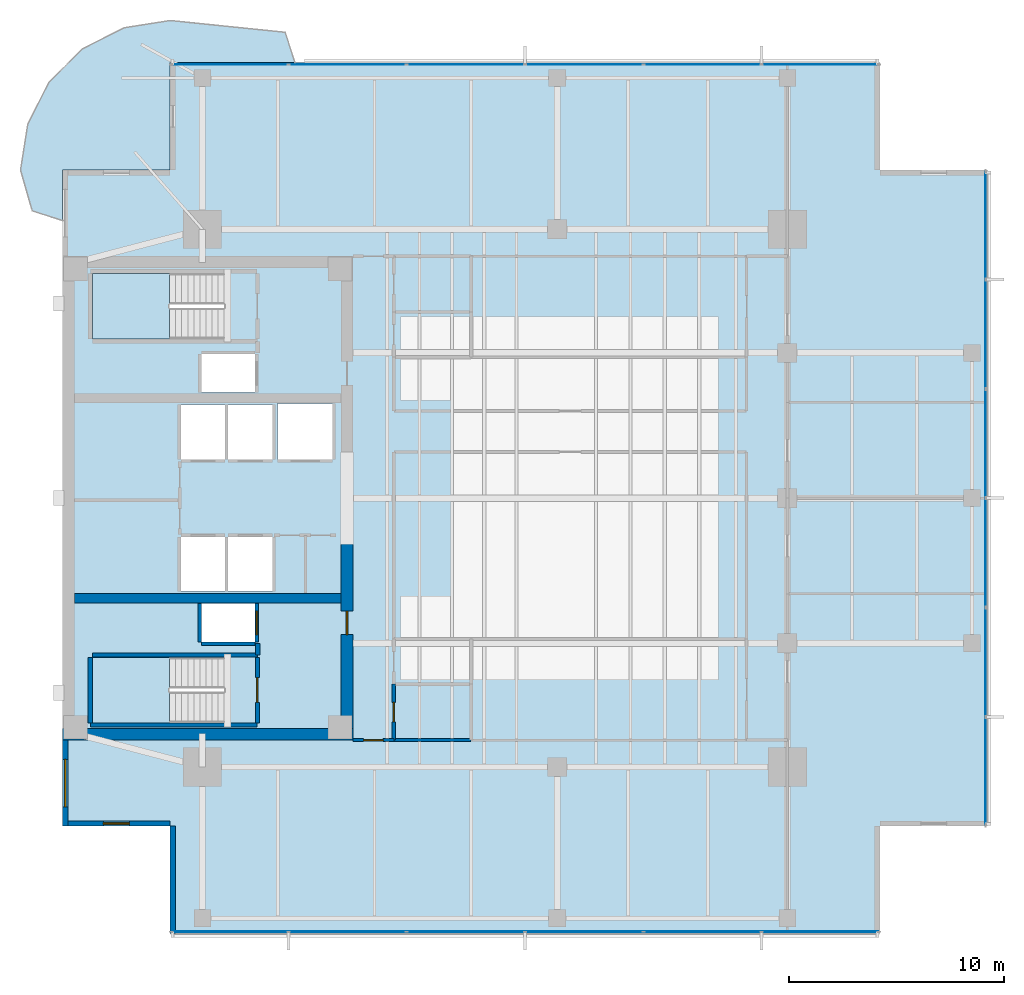
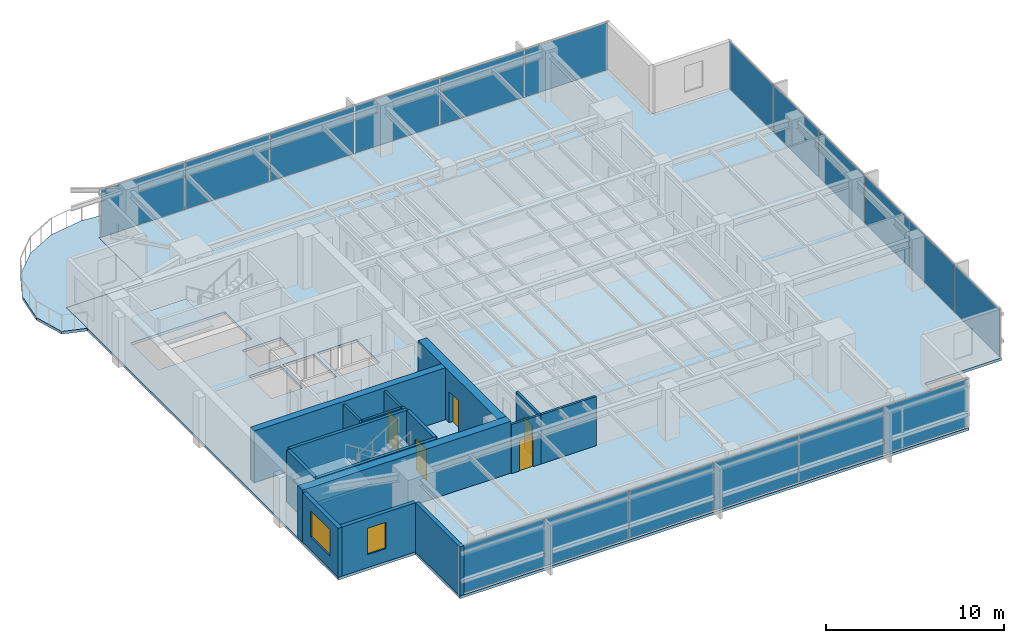
# One storey, part 7 of 14: 18 plates, 17 walls, 5 doors, 4 slabs, 2 windows, 7 openings, 5 elements without a shape of their own.
"""IFC4 building model written with IfcOpenShell, lengths in metres."""

from ifc_helpers import new_model, si_unit, direction, frame, frame_2d, origin, origin_2d, place, context, subcontext, project, spatial, polyline, rectangle, outline, extrude, material, layer, layer_set, type_object, element, fill, aggregate, save


model = new_model("IFC4")

# Units and contexts
model_context = context("Model", 3, precision=1e-05, world=origin(), true_north=direction((0.0, 1.0)))
body_context = subcontext(model_context, "Body", "Model", "MODEL_VIEW")
ifc_project = project(units=[si_unit("LENGTHUNIT", "METRE"), si_unit("AREAUNIT", "SQUARE_METRE"), si_unit("VOLUMEUNIT", "CUBIC_METRE"), si_unit("PLANEANGLEUNIT", "RADIAN"), si_unit("MASSUNIT", "GRAM", prefix="KILO")], contexts=[model_context])

# Site, building, storey
site_placement = place(None, origin())
site = spatial("IfcSite", under=ifc_project, at=site_placement, CompositionType="ELEMENT")
building_placement = place(site_placement, origin())
building = spatial("IfcBuilding", under=site, at=building_placement, Name="Kinhvarn Gate Tower", CompositionType="ELEMENT")
storey_placement = place(building_placement, frame((0.0, 0.0, 202.25)))
storey = spatial("IfcBuildingStorey", under=building, at=storey_placement, Name="L53", CompositionType="ELEMENT", Elevation=202.25)

# Curtain wall, plates
ifc_material_1 = material(Name="Anodised aluminium AW-6063", Category="aluminium")
ifc_layer_1 = layer(ifc_material_1, 0.179931640625)
ifc_layer_set_1 = layer_set([ifc_layer_1], Name="Anodised aluminium AW-6063")
curtain_wall_type = type_object("IfcCurtainWallType", Name="CW-SYS-3", PredefinedType="NOTDEFINED", material=ifc_layer_set_1)
curtain_wall_1_placement = place(storey_placement, origin())
curtain_wall_1 = element("IfcCurtainWall", 1, at=curtain_wall_1_placement, inside=storey, type_object=curtain_wall_type, Name="Curtain Wall CW3 (L53)", PredefinedType="NOTDEFINED")
ifc_material_2 = material(Name="Clear low-e double glazing", Category="glass")
ifc_layer_2 = layer(ifc_material_2, 0.031982421875)
ifc_layer_set_2 = layer_set([ifc_layer_2], Name="Clear low-e double glazing")
plate_type = type_object("IfcPlateType", Name="CW-PNL-VIS", PredefinedType="CURTAIN_PANEL", material=ifc_layer_set_2)
plate_1_placement = place(storey_placement, frame((12.266357421875, 5.090087890625, 0.070068359375), z_axis=(0.0, 0.0, 1.0), x_axis=(1.0, 0.0, 0.0)))
plate_1 = element("IfcPlate", 2, at=plate_1_placement, type_object=plate_type, Name="CW3 panel 1.1", PredefinedType="CURTAIN_PANEL", context=body_context, shape_type="SweptSolid", body=[
    extrude(rectangle(XDim=5.402587890625, YDim=0.031982421875, at=origin_2d()), origin(), (0.0, 0.0, 1.0), 3.22998046875),
])
plate_2_placement = place(storey_placement, frame((17.75, 5.090087890625, 0.070068359375), z_axis=(0.0, 0.0, 1.0), x_axis=(1.0, 0.0, 0.0)))
plate_2 = element("IfcPlate", 3, at=plate_2_placement, type_object=plate_type, Name="CW3 panel 2.1", PredefinedType="CURTAIN_PANEL", context=body_context, shape_type="SweptSolid", body=[
    extrude(rectangle(XDim=5.43505859375, YDim=0.031982421875, at=origin_2d()), origin(), (0.0, 0.0, 1.0), 3.22998046875),
])
plate_3_placement = place(storey_placement, frame((23.25, 5.090087890625, 0.070068359375), z_axis=(0.0, 0.0, 1.0), x_axis=(1.0, 0.0, 0.0)))
plate_3 = element("IfcPlate", 4, at=plate_3_placement, type_object=plate_type, Name="CW3 panel 3.1", PredefinedType="CURTAIN_PANEL", context=body_context, shape_type="SweptSolid", body=[
    extrude(rectangle(XDim=5.43505859375, YDim=0.031982421875, at=origin_2d()), origin(), (0.0, 0.0, 1.0), 3.22998046875),
])
plate_4_placement = place(storey_placement, frame((28.75, 5.090087890625, 0.070068359375), z_axis=(0.0, 0.0, 1.0), x_axis=(1.0, 0.0, 0.0)))
plate_4 = element("IfcPlate", 5, at=plate_4_placement, type_object=plate_type, Name="CW3 panel 4.1", PredefinedType="CURTAIN_PANEL", context=body_context, shape_type="SweptSolid", body=[
    extrude(rectangle(XDim=5.43505859375, YDim=0.031982421875, at=origin_2d()), origin(), (0.0, 0.0, 1.0), 3.22998046875),
])
plate_5_placement = place(storey_placement, frame((34.25, 5.090087890625, 0.070068359375), z_axis=(0.0, 0.0, 1.0), x_axis=(1.0, 0.0, 0.0)))
plate_5 = element("IfcPlate", 6, at=plate_5_placement, type_object=plate_type, Name="CW3 panel 5.1", PredefinedType="CURTAIN_PANEL", context=body_context, shape_type="SweptSolid", body=[
    extrude(rectangle(XDim=5.43505859375, YDim=0.031982421875, at=origin_2d()), origin(), (0.0, 0.0, 1.0), 3.22998046875),
])
plate_6_placement = place(storey_placement, frame((39.733642578125, 5.090087890625, 0.070068359375), z_axis=(0.0, 0.0, 1.0), x_axis=(1.0, 0.0, 0.0)))
plate_6 = element("IfcPlate", 7, at=plate_6_placement, type_object=plate_type, Name="CW3 panel 6.1", PredefinedType="CURTAIN_PANEL", context=body_context, shape_type="SweptSolid", body=[
    extrude(rectangle(XDim=5.402587890625, YDim=0.031982421875, at=origin_2d()), origin(), (0.0, 0.0, 1.0), 3.22998046875),
])
aggregate(curtain_wall_1, [plate_1, plate_2, plate_3, plate_4, plate_5, plate_6])

curtain_wall_2_placement = place(storey_placement, origin())
curtain_wall_2 = element("IfcCurtainWall", 8, at=curtain_wall_2_placement, inside=storey, type_object=curtain_wall_type, Name="Curtain Wall CW3 (L53)", PredefinedType="NOTDEFINED")
plate_7_placement = place(storey_placement, frame((39.733642578125, 45.409912109375, 0.070068359375), z_axis=(0.0, 0.0, 1.0), x_axis=(-1.0, 0.0, 0.0)))
plate_7 = element("IfcPlate", 9, at=plate_7_placement, type_object=plate_type, Name="CW3 panel 1.1", PredefinedType="CURTAIN_PANEL", context=body_context, shape_type="SweptSolid", body=[
    extrude(rectangle(XDim=5.402587890625, YDim=0.031982421875, at=origin_2d()), origin(), (0.0, 0.0, 1.0), 3.22998046875),
])
plate_8_placement = place(storey_placement, frame((34.25, 45.409912109375, 0.070068359375), z_axis=(0.0, 0.0, 1.0), x_axis=(-1.0, 0.0, 0.0)))
plate_8 = element("IfcPlate", 10, at=plate_8_placement, type_object=plate_type, Name="CW3 panel 2.1", PredefinedType="CURTAIN_PANEL", context=body_context, shape_type="SweptSolid", body=[
    extrude(rectangle(XDim=5.43505859375, YDim=0.031982421875, at=origin_2d()), origin(), (0.0, 0.0, 1.0), 3.22998046875),
])
plate_9_placement = place(storey_placement, frame((28.75, 45.409912109375, 0.070068359375), z_axis=(0.0, 0.0, 1.0), x_axis=(-1.0, 0.0, 0.0)))
plate_9 = element("IfcPlate", 11, at=plate_9_placement, type_object=plate_type, Name="CW3 panel 3.1", PredefinedType="CURTAIN_PANEL", context=body_context, shape_type="SweptSolid", body=[
    extrude(rectangle(XDim=5.43505859375, YDim=0.031982421875, at=origin_2d()), origin(), (0.0, 0.0, 1.0), 3.22998046875),
])
plate_10_placement = place(storey_placement, frame((23.25, 45.409912109375, 0.070068359375), z_axis=(0.0, 0.0, 1.0), x_axis=(-1.0, 0.0, 0.0)))
plate_10 = element("IfcPlate", 12, at=plate_10_placement, type_object=plate_type, Name="CW3 panel 4.1", PredefinedType="CURTAIN_PANEL", context=body_context, shape_type="SweptSolid", body=[
    extrude(rectangle(XDim=5.43505859375, YDim=0.031982421875, at=origin_2d()), origin(), (0.0, 0.0, 1.0), 3.22998046875),
])
plate_11_placement = place(storey_placement, frame((17.75, 45.409912109375, 0.070068359375), z_axis=(0.0, 0.0, 1.0), x_axis=(-1.0, 0.0, 0.0)))
plate_11 = element("IfcPlate", 13, at=plate_11_placement, type_object=plate_type, Name="CW3 panel 5.1", PredefinedType="CURTAIN_PANEL", context=body_context, shape_type="SweptSolid", body=[
    extrude(rectangle(XDim=5.43505859375, YDim=0.031982421875, at=origin_2d()), origin(), (0.0, 0.0, 1.0), 3.22998046875),
])
plate_12_placement = place(storey_placement, frame((12.266357421875, 45.409912109375, 0.070068359375), z_axis=(0.0, 0.0, 1.0), x_axis=(-1.0, 0.0, 0.0)))
plate_12 = element("IfcPlate", 14, at=plate_12_placement, type_object=plate_type, Name="CW3 panel 6.1", PredefinedType="CURTAIN_PANEL", context=body_context, shape_type="SweptSolid", body=[
    extrude(rectangle(XDim=5.402587890625, YDim=0.031982421875, at=origin_2d()), origin(), (0.0, 0.0, 1.0), 3.22998046875),
])
aggregate(curtain_wall_2, [plate_7, plate_8, plate_9, plate_10, plate_11, plate_12])

curtain_wall_3_placement = place(storey_placement, origin())
curtain_wall_3 = element("IfcCurtainWall", 15, at=curtain_wall_3_placement, inside=storey, type_object=curtain_wall_type, Name="Curtain Wall CW3 (L53)", PredefinedType="NOTDEFINED")
plate_13_placement = place(storey_placement, frame((47.409912109375, 12.557861328125, 0.070068359375), z_axis=(0.0, 0.0, 1.0), x_axis=(0.0, 1.0, 0.0)))
plate_13 = element("IfcPlate", 16, at=plate_13_placement, type_object=plate_type, Name="CW3 panel 1.1", PredefinedType="CURTAIN_PANEL", context=body_context, shape_type="SweptSolid", body=[
    extrude(rectangle(XDim=4.98583984375, YDim=0.031982421875, at=origin_2d()), origin(), (0.0, 0.0, 1.0), 3.22998046875),
])
plate_14_placement = place(storey_placement, frame((47.409912109375, 17.625, 0.070068359375), z_axis=(0.0, 0.0, 1.0), x_axis=(0.0, 1.0, 0.0)))
plate_14 = element("IfcPlate", 17, at=plate_14_placement, type_object=plate_type, Name="CW3 panel 2.1", PredefinedType="CURTAIN_PANEL", context=body_context, shape_type="SweptSolid", body=[
    extrude(rectangle(XDim=5.018310546875, YDim=0.031982421875, at=origin_2d()), origin(), (0.0, 0.0, 1.0), 3.22998046875),
])
plate_15_placement = place(storey_placement, frame((47.409912109375, 22.708251953125, 0.070068359375), z_axis=(0.0, 0.0, 1.0), x_axis=(0.0, 1.0, 0.0)))
plate_15 = element("IfcPlate", 18, at=plate_15_placement, type_object=plate_type, Name="CW3 panel 3.1", PredefinedType="CURTAIN_PANEL", context=body_context, shape_type="SweptSolid", body=[
    extrude(rectangle(XDim=5.018310546875, YDim=0.031982421875, at=origin_2d()), origin(), (0.0, 0.0, 1.0), 3.22998046875),
])
plate_16_placement = place(storey_placement, frame((47.409912109375, 27.791748046875, 0.070068359375), z_axis=(0.0, 0.0, 1.0), x_axis=(0.0, 1.0, 0.0)))
plate_16 = element("IfcPlate", 19, at=plate_16_placement, type_object=plate_type, Name="CW3 panel 4.1", PredefinedType="CURTAIN_PANEL", context=body_context, shape_type="SweptSolid", body=[
    extrude(rectangle(XDim=5.018310546875, YDim=0.031982421875, at=origin_2d()), origin(), (0.0, 0.0, 1.0), 3.22998046875),
])
plate_17_placement = place(storey_placement, frame((47.409912109375, 32.875, 0.070068359375), z_axis=(0.0, 0.0, 1.0), x_axis=(0.0, 1.0, 0.0)))
plate_17 = element("IfcPlate", 20, at=plate_17_placement, type_object=plate_type, Name="CW3 panel 5.1", PredefinedType="CURTAIN_PANEL", context=body_context, shape_type="SweptSolid", body=[
    extrude(rectangle(XDim=5.018310546875, YDim=0.031982421875, at=origin_2d()), origin(), (0.0, 0.0, 1.0), 3.22998046875),
])
plate_18_placement = place(storey_placement, frame((47.409912109375, 37.942138671875, 0.070068359375), z_axis=(0.0, 0.0, 1.0), x_axis=(0.0, 1.0, 0.0)))
plate_18 = element("IfcPlate", 21, at=plate_18_placement, type_object=plate_type, Name="CW3 panel 6.1", PredefinedType="CURTAIN_PANEL", context=body_context, shape_type="SweptSolid", body=[
    extrude(rectangle(XDim=4.98583984375, YDim=0.031982421875, at=origin_2d()), origin(), (0.0, 0.0, 1.0), 3.22998046875),
])
aggregate(curtain_wall_3, [plate_13, plate_14, plate_15, plate_16, plate_17, plate_18])

# Slabs
ifc_material_3 = material(Name="Precast white architectural concrete C40/50", Category="concrete")
ifc_layer_3 = layer(ifc_material_3, 0.179931640625)
ifc_layer_set_3 = layer_set([ifc_layer_3], Name="Precast white architectural concrete C40/50")
slab_type_1 = type_object("IfcSlabType", Name="SLB-BAL-180", PredefinedType="FLOOR", material=ifc_layer_set_3)
slab_1_placement = place(storey_placement, frame((0.0, 0.0, -0.179931640625)))
element("IfcSlab", 22, at=slab_1_placement, inside=storey, type_object=slab_type_1, Name="S-Carve Curved Terrace Balcony Slab L53 (NW)", PredefinedType="FLOOR", context=body_context, shape_type="SweptSolid", body=[
    extrude(outline(polyline([(15.299072265625, 45.5), (14.84912109375, 46.908203125), (9.5, 47.4560546875), (7.3505859375, 47.115478515625), (5.411376953125, 46.12744140625), (3.87255859375, 44.588623046875), (2.884521484375, 42.6494140625), (2.5439453125, 40.5), (3.091796875, 38.60693359375), (4.5, 38.156982421875), (4.5, 40.5), (9.5, 40.5), (9.5, 45.5), (15.299072265625, 45.5)])), origin(), (0.0, 0.0, 1.0), 0.179931640625),
])
ifc_material_4 = material(Name="Concrete C40/50", Category="concrete")
ifc_layer_4 = layer(ifc_material_4, 0.179931640625)
ifc_layer_set_4 = layer_set([ifc_layer_4], Name="Concrete C40/50")
slab_type_2 = type_object("IfcSlabType", Name="SLB-FLR-180", PredefinedType="FLOOR", material=ifc_layer_set_4)
slab_2_placement = place(storey_placement, frame((0.0, 0.0, -0.179931640625)))
element("IfcSlab", 23, at=slab_2_placement, inside=storey, type_object=slab_type_2, Name="Suspended Floor Slab L53", PredefinedType="FLOOR", context=body_context, shape_type="SweptSolid", body=[
    extrude(outline(polyline([(9.5, 5.0), (42.5, 5.0), (42.5, 10.0), (47.5, 10.0), (47.5, 40.5), (42.5, 40.5), (42.5, 45.5), (9.5, 45.5), (9.5, 40.5), (4.5, 40.5), (4.5, 10.0), (9.5, 10.0), (9.5, 5.0)]), holes=[polyline([(5.89990234375, 14.800048828125), (12.0, 14.800048828125), (12.0, 17.85009765625), (5.89990234375, 17.85009765625), (5.89990234375, 14.800048828125)]), polyline([(5.89990234375, 32.64990234375), (12.0, 32.64990234375), (12.0, 35.699951171875), (5.89990234375, 35.699951171875), (5.89990234375, 32.64990234375)]), polyline([(10.0, 20.89990234375), (12.050048828125, 20.89990234375), (12.050048828125, 23.449951171875), (10.0, 23.449951171875), (10.0, 20.89990234375)]), polyline([(12.199951171875, 20.89990234375), (14.25, 20.89990234375), (14.25, 23.449951171875), (12.199951171875, 23.449951171875), (12.199951171875, 20.89990234375)]), polyline([(10.0, 27.050048828125), (12.050048828125, 27.050048828125), (12.050048828125, 29.60009765625), (10.0, 29.60009765625), (10.0, 27.050048828125)]), polyline([(12.199951171875, 27.050048828125), (14.25, 27.050048828125), (14.25, 29.60009765625), (12.199951171875, 29.60009765625), (12.199951171875, 27.050048828125)]), polyline([(14.5, 27.050048828125), (17.050048828125, 27.050048828125), (17.050048828125, 29.64990234375), (14.5, 29.64990234375), (14.5, 27.050048828125)]), polyline([(10.949951171875, 18.550048828125), (13.449951171875, 18.550048828125), (13.449951171875, 20.35009765625), (10.949951171875, 20.35009765625), (10.949951171875, 18.550048828125)]), polyline([(10.949951171875, 30.14990234375), (13.449951171875, 30.14990234375), (13.449951171875, 31.949951171875), (10.949951171875, 31.949951171875), (10.949951171875, 30.14990234375)])]), origin(), (0.0, 0.0, 1.0), 0.179931640625),
])

# Stair, slab
stair_type = type_object("IfcStairType", Name="STR-DLG-178", PredefinedType="HALF_TURN_STAIR", material=ifc_material_4)
stair_1_placement = place(storey_placement, origin())
stair_1 = element("IfcStair", 24, at=stair_1_placement, inside=storey, type_object=stair_type, Name="L53 Core Smokeproof Exit Stair ST1", PredefinedType="HALF_TURN_STAIR")
ifc_layer_5 = layer(ifc_material_4, 0.199951171875)
ifc_layer_set_5 = layer_set([ifc_layer_5], Name="Concrete C40/50")
slab_type_3 = type_object("IfcSlabType", Name="SLB-ST-LND", PredefinedType="LANDING", material=ifc_layer_set_5)
slab_3_placement = place(storey_placement, frame((0.0, 0.0, 1.574951171875)))
slab_3 = element("IfcSlab", 25, at=slab_3_placement, type_object=slab_type_3, Name="ST1 landing 1", PredefinedType="LANDING", context=body_context, shape_type="SweptSolid", body=[
    extrude(outline(polyline([(9.47998046875, 17.85009765625), (5.89990234375, 17.85009765625), (5.89990234375, 14.800048828125), (9.47998046875, 14.800048828125), (9.47998046875, 17.85009765625)])), origin(), (0.0, 0.0, 1.0), 0.199951171875),
])
aggregate(stair_1, [slab_3])

stair_2_placement = place(storey_placement, origin())
stair_2 = element("IfcStair", 26, at=stair_2_placement, inside=storey, type_object=stair_type, Name="L53 Core Smokeproof Exit Stair ST2", PredefinedType="HALF_TURN_STAIR")
slab_4_placement = place(storey_placement, frame((0.0, 0.0, 1.574951171875)))
slab_4 = element("IfcSlab", 27, at=slab_4_placement, type_object=slab_type_3, Name="ST2 landing 1", PredefinedType="LANDING", context=body_context, shape_type="SweptSolid", body=[
    extrude(outline(polyline([(9.47998046875, 35.699951171875), (5.89990234375, 35.699951171875), (5.89990234375, 32.64990234375), (9.47998046875, 32.64990234375), (9.47998046875, 35.699951171875)])), origin(), (0.0, 0.0, 1.0), 0.199951171875),
])
aggregate(stair_2, [slab_4])

# Walls
ifc_material_5 = material(Name="Concrete C50/60", Category="concrete")
ifc_layer_6 = layer(ifc_material_5, 0.449951171875)
ifc_layer_set_6 = layer_set([ifc_layer_6], Name="Concrete C50/60")
wall_type_1 = type_object("IfcWallType", Name="WL-CORE-450", PredefinedType="SHEAR", material=ifc_layer_set_6)
wall_1_placement = place(storey_placement, frame((5.050048828125, 20.60009765625, 0.0), z_axis=(0.0, 0.0, 1.0), x_axis=(1.0, 0.0, 0.0)))
element("IfcWall", 28, at=wall_1_placement, inside=storey, type_object=wall_type_1, Name="Core South Spine Shear Wall L53 450 mm", PredefinedType="SHEAR", context=body_context, shape_type="SweptSolid", body=[
    extrude(rectangle(XDim=12.39990234375, YDim=0.449951171875, at=frame_2d((6.199951171875, 0.0))), origin(), (0.0, 0.0, 1.0), 3.550048828125),
])
ifc_material_6 = material(Name="Concrete C60/75", Category="concrete")
ifc_layer_7 = layer(ifc_material_6, 0.550048828125)
ifc_layer_set_7 = layer_set([ifc_layer_7], Name="Concrete C60/75")
wall_type_2 = type_object("IfcWallType", Name="WL-CORE-550", PredefinedType="SHEAR", material=ifc_layer_set_7)
wall_2_placement = place(storey_placement, frame((4.5, 14.27490234375, 0.0), z_axis=(0.0, 0.0, 1.0), x_axis=(1.0, 0.0, 0.0)))
element("IfcWall", 29, at=wall_2_placement, inside=storey, type_object=wall_type_2, Name="Core South Shear Wall L53 550 mm", PredefinedType="SHEAR", context=body_context, shape_type="SweptSolid", body=[
    extrude(rectangle(XDim=13.5, YDim=0.550048828125, at=frame_2d((6.75, 0.0))), origin(), (0.0, 0.0, 1.0), 3.550048828125),
])

# Wall, opening, door
wall_3_placement = place(storey_placement, frame((17.72509765625, 14.550048828125, 0.0), z_axis=(0.0, 0.0, 1.0), x_axis=(0.0, 1.0, 0.0)))
wall_3 = element("IfcWall", 30, at=wall_3_placement, inside=storey, type_object=wall_type_2, Name="Core East-South Shear Pier L53 550 mm", PredefinedType="SHEAR", context=body_context, shape_type="SweptSolid", body=[
    extrude(rectangle(XDim=8.89990234375, YDim=0.550048828125, at=frame_2d((4.449951171875, 0.0))), origin(), (0.0, 0.0, 1.0), 3.550048828125),
])
opening_1_placement = place(wall_3_placement, frame((4.35009765625, 0.0, 0.0)))
opening_1 = element("IfcOpeningElement", 31, at=opening_1_placement, cuts=wall_3, Name="Opening FD-02", PredefinedType="OPENING", context=body_context, shape_type="SweptSolid", body=[
    extrude(rectangle(XDim=1.10009765625, YDim=2.14990234375, at=frame_2d((0.550048828125, 1.074951171875))), frame((0.0, 0.28515625, 0.0), z_axis=(0.0, -1.0, 0.0), x_axis=(1.0, 0.0, 0.0)), (0.0, 0.0, 1.0), 0.570068359375),
])
door_type_1 = type_object("IfcDoorType", Name="DR-FD-1100", OperationType="NOTDEFINED", PredefinedType="DOOR", material=ifc_material_1)
door_1_placement = place(opening_1_placement, origin())
door_1 = element("IfcDoor", 32, at=door_1_placement, inside=storey, type_object=door_type_1, Name="Firefighting Lobby Core Door (L53)", OperationType="SINGLE_SWING_RIGHT", OverallHeight=2.14990234375, OverallWidth=1.10009765625, PredefinedType="DOOR", context=body_context, shape_type="SweptSolid", body=[
    extrude(rectangle(XDim=1.10009765625, YDim=2.14990234375, at=frame_2d((0.550048828125, 1.074951171875))), frame((0.0, 0.02490234375, 0.0), z_axis=(0.0, -1.0, 0.0), x_axis=(1.0, 0.0, 0.0)), (0.0, 0.0, 1.0), 0.050048828125),
])
fill(opening_1, door_1)

# Wall, opening, window
ifc_material_7 = material(Name="Fired architectural terracotta", Category="masonry")
ifc_layer_8 = layer(ifc_material_7, 0.25)
ifc_layer_set_8 = layer_set([ifc_layer_8], Name="Fired architectural terracotta")
wall_type_3 = type_object("IfcWallType", Name="WL-EXT-250", PredefinedType="SOLIDWALL", material=ifc_layer_set_8)
wall_4_placement = place(storey_placement, frame((4.625, 14.0, 0.0), z_axis=(0.0, 0.0, 1.0), x_axis=(0.0, -1.0, 0.0)))
wall_4 = element("IfcWall", 33, at=wall_4_placement, inside=storey, type_object=wall_type_3, Name="Exterior Solidwall Wall EW-250 (L53 West-South)", PredefinedType="SOLIDWALL", context=body_context, shape_type="SweptSolid", body=[
    extrude(rectangle(XDim=4.0, YDim=0.25, at=frame_2d((2.0, 0.0))), origin(), (0.0, 0.0, 1.0), 3.3701171875),
])
opening_2_placement = place(wall_4_placement, frame((0.89990234375, 0.0, 0.89990234375)))
opening_2 = element("IfcOpeningElement", 34, at=opening_2_placement, cuts=wall_4, Name="Opening WN-01", PredefinedType="OPENING", context=body_context, shape_type="SweptSolid", body=[
    extrude(rectangle(XDim=2.199951171875, YDim=1.800048828125, at=frame_2d((1.10009765625, 0.89990234375))), frame((0.0, 0.135009765625, 0.0), z_axis=(0.0, -1.0, 0.0), x_axis=(1.0, 0.0, 0.0)), (0.0, 0.0, 1.0), 0.27001953125),
])
window_type_1 = type_object("IfcWindowType", Name="WIN-RIB-2200", PartitioningType="SINGLE_PANEL", PredefinedType="WINDOW", material=ifc_material_2)
window_1_placement = place(opening_2_placement, origin())
window_1 = element("IfcWindow", 35, at=window_1_placement, inside=storey, type_object=window_type_1, Name="West Flank Double-Glazed Ribbon Window 2200x1800 mm (L53)", OverallHeight=1.800048828125, OverallWidth=2.199951171875, PartitioningType="SINGLE_PANEL", PredefinedType="WINDOW", context=body_context, shape_type="SweptSolid", body=[
    extrude(rectangle(XDim=2.199951171875, YDim=1.800048828125, at=frame_2d((1.10009765625, 0.89990234375))), frame((0.0, 0.030029296875, 0.0), z_axis=(0.0, -1.0, 0.0), x_axis=(1.0, 0.0, 0.0)), (0.0, 0.0, 1.0), 0.06005859375),
])
fill(opening_2, window_1)

wall_5_placement = place(storey_placement, frame((4.5, 10.125, 0.0), z_axis=(0.0, 0.0, 1.0), x_axis=(1.0, 0.0, 0.0)))
wall_5 = element("IfcWall", 36, at=wall_5_placement, inside=storey, type_object=wall_type_3, Name="Exterior Solidwall Wall EW-250 (L53 SW-Notch-1)", PredefinedType="SOLIDWALL", context=body_context, shape_type="SweptSolid", body=[
    extrude(rectangle(XDim=5.0, YDim=0.25, at=frame_2d((2.5, 0.0))), origin(), (0.0, 0.0, 1.0), 3.3701171875),
])
opening_3_placement = place(wall_5_placement, frame((1.89990234375, 0.0, 0.89990234375)))
opening_3 = element("IfcOpeningElement", 37, at=opening_3_placement, cuts=wall_5, Name="Opening WN-02", PredefinedType="OPENING", context=body_context, shape_type="SweptSolid", body=[
    extrude(rectangle(XDim=1.199951171875, YDim=1.800048828125, at=frame_2d((0.60009765625, 0.89990234375))), frame((0.0, 0.135009765625, 0.0), z_axis=(0.0, -1.0, 0.0), x_axis=(1.0, 0.0, 0.0)), (0.0, 0.0, 1.0), 0.27001953125),
])
window_type_2 = type_object("IfcWindowType", Name="WIN-NTC-1200", PartitioningType="SINGLE_PANEL", PredefinedType="WINDOW", material=ifc_material_2)
window_2_placement = place(opening_3_placement, origin())
window_2 = element("IfcWindow", 38, at=window_2_placement, inside=storey, type_object=window_type_2, Name="Recessed Corner Notch Punched Window 1200x1800 mm (L53)", OverallHeight=1.800048828125, OverallWidth=1.199951171875, PartitioningType="SINGLE_PANEL", PredefinedType="WINDOW", context=body_context, shape_type="SweptSolid", body=[
    extrude(rectangle(XDim=1.199951171875, YDim=1.800048828125, at=frame_2d((0.60009765625, 0.89990234375))), frame((0.0, 0.030029296875, 0.0), z_axis=(0.0, -1.0, 0.0), x_axis=(1.0, 0.0, 0.0)), (0.0, 0.0, 1.0), 0.06005859375),
])
fill(opening_3, window_2)

# Walls
wall_6_placement = place(storey_placement, frame((9.625, 10.0, 0.0), z_axis=(0.0, 0.0, 1.0), x_axis=(0.0, -1.0, 0.0)))
element("IfcWall", 39, at=wall_6_placement, inside=storey, type_object=wall_type_3, Name="Exterior Solidwall Wall EW-250 (L53 SW-Notch-2)", PredefinedType="SOLIDWALL", context=body_context, shape_type="SweptSolid", body=[
    extrude(rectangle(XDim=5.0, YDim=0.25, at=frame_2d((2.5, 0.0))), origin(), (0.0, 0.0, 1.0), 3.3701171875),
])
ifc_material_8 = material(Name="Gypsum acoustic partition board")
ifc_layer_9 = layer(ifc_material_8, 0.14990234375)
ifc_layer_set_9 = layer_set([ifc_layer_9], Name="Gypsum acoustic partition board")
wall_type_4 = type_object("IfcWallType", Name="WL-PLM-150", PredefinedType="PLUMBINGWALL", material=ifc_layer_set_9)
wall_7_placement = place(storey_placement, frame((19.89990234375, 14.0, 0.0), z_axis=(0.0, 0.0, 1.0), x_axis=(1.0, 0.0, 0.0)))
element("IfcWall", 40, at=wall_7_placement, inside=storey, type_object=wall_type_4, Name="Interior Partition PLW-150 (L53)", PredefinedType="PLUMBINGWALL", context=body_context, shape_type="SweptSolid", body=[
    extrude(rectangle(XDim=3.60009765625, YDim=0.14990234375, at=frame_2d((1.800048828125, 0.0))), origin(), (0.0, 0.0, 1.0), 3.3701171875),
])

# Wall, opening, door
ifc_layer_10 = layer(ifc_material_8, 0.14990234375)
ifc_layer_set_10 = layer_set([ifc_layer_10], Name="Gypsum acoustic partition board")
wall_type_5 = type_object("IfcWallType", Name="WL-PLM-150F", PredefinedType="PLUMBINGWALL", material=ifc_layer_set_10)
wall_8_placement = place(storey_placement, frame((19.89990234375, 14.0, 0.0), z_axis=(0.0, 0.0, 1.0), x_axis=(0.0, 1.0, 0.0)))
wall_8 = element("IfcWall", 41, at=wall_8_placement, inside=storey, type_object=wall_type_5, Name="Interior Partition PLW-150F (L53)", PredefinedType="PLUMBINGWALL", context=body_context, shape_type="SweptSolid", body=[
    extrude(rectangle(XDim=2.60009765625, YDim=0.14990234375, at=frame_2d((1.300048828125, 0.0))), origin(), (0.0, 0.0, 1.0), 3.3701171875),
])
opening_4_placement = place(wall_8_placement, frame((0.85009765625, 0.0, 0.0)))
opening_4 = element("IfcOpeningElement", 42, at=opening_4_placement, cuts=wall_8, Name="Opening FD-04", PredefinedType="OPENING", context=body_context, shape_type="SweptSolid", body=[
    extrude(rectangle(XDim=0.89990234375, YDim=2.10009765625, at=frame_2d((0.449951171875, 1.050048828125))), frame((0.0, 0.0849609375, 0.0), z_axis=(0.0, -1.0, 0.0), x_axis=(1.0, 0.0, 0.0)), (0.0, 0.0, 1.0), 0.169921875),
])
door_type_2 = type_object("IfcDoorType", Name="DR-FD-900", OperationType="NOTDEFINED", PredefinedType="DOOR", material=ifc_material_1)
door_2_placement = place(opening_4_placement, origin())
door_2 = element("IfcDoor", 43, at=door_2_placement, inside=storey, type_object=door_type_2, Name="Rated Riser & Service Closet Fire Door 900x2100 mm (L53)", OperationType="SINGLE_SWING_LEFT", OverallHeight=2.10009765625, OverallWidth=0.89990234375, PredefinedType="DOOR", context=body_context, shape_type="SweptSolid", body=[
    extrude(rectangle(XDim=0.89990234375, YDim=2.10009765625, at=frame_2d((0.449951171875, 1.050048828125))), frame((0.0, 0.02490234375, 0.0), z_axis=(0.0, -1.0, 0.0), x_axis=(1.0, 0.0, 0.0)), (0.0, 0.0, 1.0), 0.050048828125),
])
fill(opening_4, door_2)

ifc_layer_11 = layer(ifc_material_8, 0.14990234375)
ifc_layer_set_11 = layer_set([ifc_layer_11], Name="Gypsum acoustic partition board")
wall_type_6 = type_object("IfcWallType", Name="WL-PRT-150F", PredefinedType="PARTITIONING", material=ifc_layer_set_11)
wall_9_placement = place(storey_placement, frame((18.0, 14.0, 0.0), z_axis=(0.0, 0.0, 1.0), x_axis=(1.0, 0.0, 0.0)))
wall_9 = element("IfcWall", 44, at=wall_9_placement, inside=storey, type_object=wall_type_6, Name="Interior Partition PW-150F (L53)", PredefinedType="PARTITIONING", context=body_context, shape_type="SweptSolid", body=[
    extrude(rectangle(XDim=1.89990234375, YDim=0.14990234375, at=frame_2d((0.949951171875, 0.0))), origin(), (0.0, 0.0, 1.0), 3.3701171875),
])
opening_5_placement = place(wall_9_placement, frame((0.5, 0.0, 0.0)))
opening_5 = element("IfcOpeningElement", 45, at=opening_5_placement, cuts=wall_9, Name="Opening ID-03", PredefinedType="OPENING", context=body_context, shape_type="SweptSolid", body=[
    extrude(rectangle(XDim=0.89990234375, YDim=2.10009765625, at=frame_2d((0.449951171875, 1.050048828125))), frame((0.0, 0.0849609375, 0.0), z_axis=(0.0, -1.0, 0.0), x_axis=(1.0, 0.0, 0.0)), (0.0, 0.0, 1.0), 0.169921875),
])
door_type_3 = type_object("IfcDoorType", Name="DR-INT-900", OperationType="NOTDEFINED", PredefinedType="DOOR", material=ifc_material_1)
door_3_placement = place(opening_5_placement, origin())
door_3 = element("IfcDoor", 46, at=door_3_placement, inside=storey, type_object=door_type_3, Name="Cellular Office & Restroom Door 900x2100 mm (L53)", OperationType="SINGLE_SWING_LEFT", OverallHeight=2.10009765625, OverallWidth=0.89990234375, PredefinedType="DOOR", context=body_context, shape_type="SweptSolid", body=[
    extrude(rectangle(XDim=0.89990234375, YDim=2.10009765625, at=frame_2d((0.449951171875, 1.050048828125))), frame((0.0, 0.02490234375, 0.0), z_axis=(0.0, -1.0, 0.0), x_axis=(1.0, 0.0, 0.0)), (0.0, 0.0, 1.0), 0.050048828125),
])
fill(opening_5, door_3)

# Walls
ifc_layer_12 = layer(ifc_material_8, 0.199951171875)
ifc_layer_set_12 = layer_set([ifc_layer_12], Name="Gypsum acoustic partition board")
wall_type_7 = type_object("IfcWallType", Name="WL-PRT-200", PredefinedType="PARTITIONING", material=ifc_layer_set_12)
wall_10_placement = place(storey_placement, frame((13.580078125, 17.9599609375, 0.0), z_axis=(0.0, 0.0, 1.0), x_axis=(0.0, 1.0, 0.0)))
element("IfcWall", 47, at=wall_10_placement, inside=storey, type_object=wall_type_7, Name="Interior Partition PW-200 (L53)", PredefinedType="PARTITIONING", context=body_context, shape_type="SweptSolid", body=[
    extrude(rectangle(XDim=0.5400390625, YDim=0.199951171875, at=frame_2d((0.27001953125, 0.0))), origin(), (0.0, 0.0, 1.0), 3.3701171875),
])
ifc_layer_13 = layer(ifc_material_8, 0.14990234375)
ifc_layer_set_13 = layer_set([ifc_layer_13], Name="Gypsum acoustic partition board")
wall_type_8 = type_object("IfcWallType", Name="WL-SHF-150", PredefinedType="PARTITIONING", material=ifc_layer_set_13)
wall_11_placement = place(storey_placement, frame((10.949951171875, 18.47509765625, 0.0), z_axis=(0.0, 0.0, 1.0), x_axis=(1.0, 0.0, 0.0)))
element("IfcWall", 48, at=wall_11_placement, inside=storey, type_object=wall_type_8, Name="Elevator FF1 Hoistway Wall S (L53)", PredefinedType="PARTITIONING", context=body_context, shape_type="SweptSolid", body=[
    extrude(rectangle(XDim=2.5, YDim=0.14990234375, at=frame_2d((1.25, 0.0))), origin(), (0.0, 0.0, 1.0), 3.3701171875),
])
wall_12_placement = place(storey_placement, frame((10.875, 18.550048828125, 0.0), z_axis=(0.0, 0.0, 1.0), x_axis=(0.0, 1.0, 0.0)))
element("IfcWall", 49, at=wall_12_placement, inside=storey, type_object=wall_type_8, Name="Elevator FF1 Hoistway Wall W (L53)", PredefinedType="PARTITIONING", context=body_context, shape_type="SweptSolid", body=[
    extrude(rectangle(XDim=1.800048828125, YDim=0.14990234375, at=frame_2d((0.89990234375, 0.0))), origin(), (0.0, 0.0, 1.0), 3.3701171875),
])

# Wall, opening, door
wall_13_placement = place(storey_placement, frame((13.52490234375, 18.550048828125, 0.0), z_axis=(0.0, 0.0, 1.0), x_axis=(0.0, 1.0, 0.0)))
wall_13 = element("IfcWall", 50, at=wall_13_placement, inside=storey, type_object=wall_type_8, Name="Elevator FF1 Landing Wall (L53)", PredefinedType="PARTITIONING", context=body_context, shape_type="SweptSolid", body=[
    extrude(rectangle(XDim=1.800048828125, YDim=0.14990234375, at=frame_2d((0.89990234375, 0.0))), origin(), (0.0, 0.0, 1.0), 3.3701171875),
])
opening_6_placement = place(wall_13_placement, frame((0.35009765625, 0.0, 0.0)))
opening_6 = element("IfcOpeningElement", 51, at=opening_6_placement, cuts=wall_13, Name="Opening LD-03", PredefinedType="OPENING", context=body_context, shape_type="SweptSolid", body=[
    extrude(rectangle(XDim=1.10009765625, YDim=2.199951171875, at=frame_2d((0.550048828125, 1.10009765625))), frame((0.0, 0.0849609375, 0.0), z_axis=(0.0, -1.0, 0.0), x_axis=(1.0, 0.0, 0.0)), (0.0, 0.0, 1.0), 0.169921875),
])
door_type_4 = type_object("IfcDoorType", Name="DR-LND-FF", OperationType="NOTDEFINED", PredefinedType="DOOR", material=ifc_material_1)
door_4_placement = place(opening_6_placement, origin())
door_4 = element("IfcDoor", 52, at=door_4_placement, inside=storey, type_object=door_type_4, Name="Elevator FF1 Sliding Landing Door (L53)", OperationType="DOUBLE_DOOR_SLIDING", OverallHeight=2.199951171875, OverallWidth=1.10009765625, PredefinedType="DOOR", context=body_context, shape_type="SweptSolid", body=[
    extrude(rectangle(XDim=1.10009765625, YDim=2.199951171875, at=frame_2d((0.550048828125, 1.10009765625))), frame((0.0, 0.02490234375, 0.0), z_axis=(0.0, -1.0, 0.0), x_axis=(1.0, 0.0, 0.0)), (0.0, 0.0, 1.0), 0.050048828125),
])
fill(opening_6, door_4)

# Walls
ifc_layer_14 = layer(ifc_material_4, 0.199951171875)
ifc_layer_set_14 = layer_set([ifc_layer_14], Name="Concrete C40/50")
wall_type_9 = type_object("IfcWallType", Name="WL-SHF-200", PredefinedType="SOLIDWALL", material=ifc_layer_set_14)
wall_14_placement = place(storey_placement, frame((5.800048828125, 14.699951171875, 0.0), z_axis=(0.0, 0.0, 1.0), x_axis=(1.0, 0.0, 0.0)))
element("IfcWall", 53, at=wall_14_placement, inside=storey, type_object=wall_type_9, Name="Stair ST1 South Shaft Wall (L53)", PredefinedType="SOLIDWALL", context=body_context, shape_type="SweptSolid", body=[
    extrude(rectangle(XDim=7.75, YDim=0.199951171875, at=frame_2d((3.875, 0.0))), origin(), (0.0, 0.0, 1.0), 3.550048828125),
])
wall_15_placement = place(storey_placement, frame((5.7900390625, 14.800048828125, 0.0), z_axis=(0.0, 0.0, 1.0), x_axis=(0.0, 1.0, 0.0)))
element("IfcWall", 54, at=wall_15_placement, inside=storey, type_object=wall_type_9, Name="Stair ST1 West Shaft Wall (L53)", PredefinedType="SOLIDWALL", context=body_context, shape_type="SweptSolid", body=[
    extrude(rectangle(XDim=3.050048828125, YDim=0.199951171875, at=frame_2d((1.52490234375, 0.0))), origin(), (0.0, 0.0, 1.0), 3.550048828125),
])
wall_16_placement = place(storey_placement, frame((5.89990234375, 17.9599609375, 0.0), z_axis=(0.0, 0.0, 1.0), x_axis=(1.0, 0.0, 0.0)))
element("IfcWall", 55, at=wall_16_placement, inside=storey, type_object=wall_type_9, Name="Stair ST1 North Shaft Wall (L53)", PredefinedType="SOLIDWALL", context=body_context, shape_type="SweptSolid", body=[
    extrude(rectangle(XDim=7.66015625, YDim=0.199951171875, at=frame_2d((3.830078125, 0.0))), origin(), (0.0, 0.0, 1.0), 3.550048828125),
])

# Wall, opening, door
wall_17_placement = place(storey_placement, frame((13.56005859375, 14.800048828125, 0.0), z_axis=(0.0, 0.0, 1.0), x_axis=(0.0, 1.0, 0.0)))
wall_17 = element("IfcWall", 56, at=wall_17_placement, inside=storey, type_object=wall_type_9, Name="Stair ST1 East Entry Wall (L53)", PredefinedType="SOLIDWALL", context=body_context, shape_type="SweptSolid", body=[
    extrude(rectangle(XDim=3.050048828125, YDim=0.199951171875, at=frame_2d((1.52490234375, 0.0))), origin(), (0.0, 0.0, 1.0), 3.550048828125),
])
opening_7_placement = place(wall_17_placement, frame((0.949951171875, 0.0, 0.0)))
opening_7 = element("IfcOpeningElement", 57, at=opening_7_placement, cuts=wall_17, Name="Opening FD-01", PredefinedType="OPENING", context=body_context, shape_type="SweptSolid", body=[
    extrude(rectangle(XDim=1.14990234375, YDim=2.14990234375, at=frame_2d((0.574951171875, 1.074951171875))), frame((0.0, 0.10986328125, 0.0), z_axis=(0.0, -1.0, 0.0), x_axis=(1.0, 0.0, 0.0)), (0.0, 0.0, 1.0), 0.219970703125),
])
door_type_5 = type_object("IfcDoorType", Name="DR-ST-1150", OperationType="NOTDEFINED", PredefinedType="DOOR", material=ifc_material_1)
door_5_placement = place(opening_7_placement, origin())
door_5 = element("IfcDoor", 58, at=door_5_placement, inside=storey, type_object=door_type_5, Name="Exit Stair ST1 Fire Door (L53)", OperationType="SINGLE_SWING_LEFT", OverallHeight=2.14990234375, OverallWidth=1.14990234375, PredefinedType="DOOR", context=body_context, shape_type="SweptSolid", body=[
    extrude(rectangle(XDim=1.14990234375, YDim=2.14990234375, at=frame_2d((0.574951171875, 1.074951171875))), frame((0.0, 0.02490234375, 0.0), z_axis=(0.0, -1.0, 0.0), x_axis=(1.0, 0.0, 0.0)), (0.0, 0.0, 1.0), 0.050048828125),
])
fill(opening_7, door_5)

save(model, "model.ifc")
